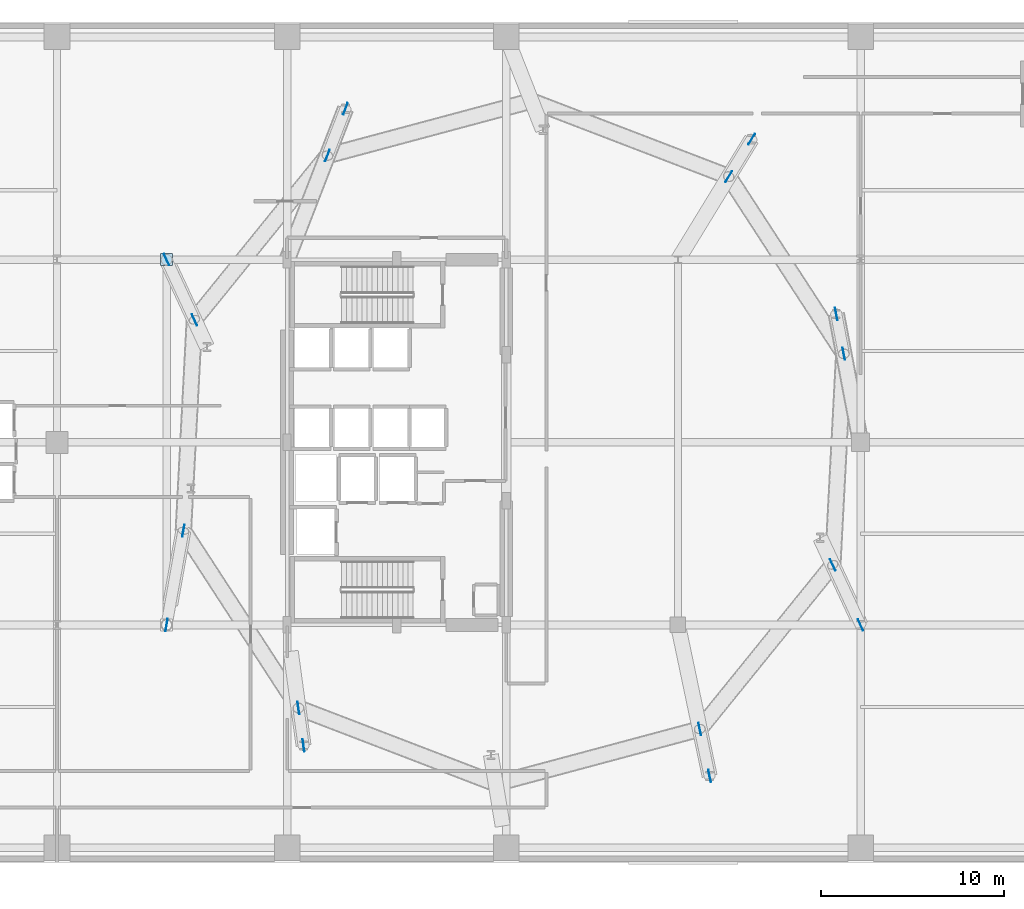
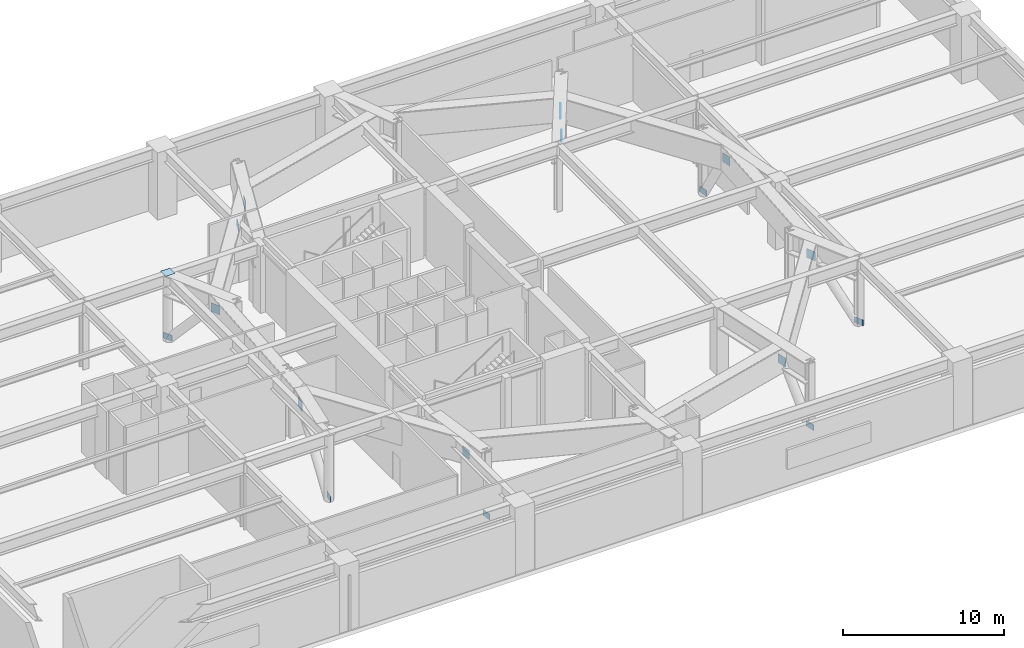
# One storey, part 5 of 12: 17 plates.
"""IFC4 building model written with IfcOpenShell, lengths in metres."""

from ifc_helpers import new_model, si_unit, direction, frame, origin, origin_2d, place, context, subcontext, project, spatial, rectangle, extrude, material, layer, layer_set, type_object, element, save


model = new_model("IFC4")

# Units and contexts
model_context = context("Model", 3, precision=1e-05, world=origin(), true_north=direction((0.0, 1.0)))
body_context = subcontext(model_context, "Body", "Model", "MODEL_VIEW")
ifc_project = project(units=[si_unit("LENGTHUNIT", "METRE"), si_unit("AREAUNIT", "SQUARE_METRE"), si_unit("VOLUMEUNIT", "CUBIC_METRE"), si_unit("PLANEANGLEUNIT", "RADIAN"), si_unit("MASSUNIT", "GRAM", prefix="KILO")], contexts=[model_context])

# Site, building, storey
site_placement = place(None, origin())
site = spatial("IfcSite", under=ifc_project, at=site_placement, CompositionType="ELEMENT")
building_placement = place(site_placement, origin())
building = spatial("IfcBuilding", under=site, at=building_placement, Name="Soratama Intermodal Tower", CompositionType="ELEMENT")
storey_placement = place(building_placement, frame((0.0, 0.0, 25.199951171875)))
storey = spatial("IfcBuildingStorey", under=building, at=storey_placement, Name="L05", CompositionType="ELEMENT", Elevation=25.199951171875)

# Plates
ifc_material_1 = material(Name="Structural steel ASTM A992 Grade 50", Category="steel")
ifc_layer_1 = layer(ifc_material_1, 0.030029296875)
ifc_layer_set_1 = layer_set([ifc_layer_1], Name="Structural steel ASTM A992 Grade 50")
plate_type_1 = type_object("IfcPlateType", Name="PL-GUSSET-30", PredefinedType="USERDEFINED", material=ifc_layer_set_1)
plate_1_placement = place(storey_placement, frame((63.08203125, 29.84521484375, 3.4501953125), z_axis=(0.0, 0.0, 1.0), x_axis=(0.186181084768, -0.982515447041, 0.0)))
element("IfcPlate", 1, at=plate_1_placement, inside=storey, type_object=plate_type_1, Name="L05 Head Gusset Plate 01", ObjectType="GUSSET PLATE", PredefinedType="USERDEFINED", context=body_context, shape_type="SweptSolid", body=[
    extrude(rectangle(XDim=0.679931640625, YDim=0.030029296875, at=origin_2d()), origin(), (0.0, 0.0, 1.0), 0.679931640625),
])
plate_2_placement = place(storey_placement, frame((62.6689453125, 32.02490234375, 0.0), z_axis=(0.0, 0.0, 1.0), x_axis=(0.186181084768, -0.982515447041, 0.0)))
element("IfcPlate", 2, at=plate_2_placement, inside=storey, type_object=plate_type_1, Name="L05 Foot Gusset Plate 01", ObjectType="GUSSET PLATE", PredefinedType="USERDEFINED", context=body_context, shape_type="SweptSolid", body=[
    extrude(rectangle(XDim=0.679931640625, YDim=0.030029296875, at=origin_2d()), origin(), (0.0, 0.0, 1.0), 0.43994140625),
])
plate_3_placement = place(storey_placement, frame((56.781005859375, 39.548095703125, 3.4501953125), z_axis=(0.0, 0.0, 1.0), x_axis=(-0.521605395695, -0.853186855959, 0.0)))
element("IfcPlate", 3, at=plate_3_placement, inside=storey, type_object=plate_type_1, Name="L05 Head Gusset Plate 02", ObjectType="GUSSET PLATE", PredefinedType="USERDEFINED", context=body_context, shape_type="SweptSolid", body=[
    extrude(rectangle(XDim=0.679931640625, YDim=0.030029296875, at=origin_2d()), origin(), (0.0, 0.0, 1.0), 0.679931640625),
])
plate_4_placement = place(storey_placement, frame((58.031982421875, 41.594970703125, 0.0), z_axis=(0.0, 0.0, 1.0), x_axis=(-0.521605395695, -0.853186855959, 0.0)))
element("IfcPlate", 4, at=plate_4_placement, inside=storey, type_object=plate_type_1, Name="L05 Foot Gusset Plate 02", ObjectType="GUSSET PLATE", PredefinedType="USERDEFINED", context=body_context, shape_type="SweptSolid", body=[
    extrude(rectangle(XDim=0.679931640625, YDim=0.030029296875, at=origin_2d()), origin(), (0.0, 0.0, 1.0), 0.43994140625),
])
plate_5_placement = place(storey_placement, frame((34.804443359375, 40.699951171875, 3.4501953125), z_axis=(0.0, 0.0, 1.0), x_axis=(-0.360648044776, -0.932701982307, 0.0)))
element("IfcPlate", 5, at=plate_5_placement, inside=storey, type_object=plate_type_1, Name="L05 Head Gusset Plate 04", ObjectType="GUSSET PLATE", PredefinedType="USERDEFINED", context=body_context, shape_type="SweptSolid", body=[
    extrude(rectangle(XDim=0.679931640625, YDim=0.030029296875, at=origin_2d()), origin(), (0.0, 0.0, 1.0), 0.679931640625),
])
plate_6_placement = place(storey_placement, frame((35.7958984375, 43.264892578125, 0.0), z_axis=(0.0, 0.0, 1.0), x_axis=(-0.360648044776, -0.932701982307, 0.0)))
element("IfcPlate", 6, at=plate_6_placement, inside=storey, type_object=plate_type_1, Name="L05 Foot Gusset Plate 04", ObjectType="GUSSET PLATE", PredefinedType="USERDEFINED", context=body_context, shape_type="SweptSolid", body=[
    extrude(rectangle(XDim=0.679931640625, YDim=0.030029296875, at=origin_2d()), origin(), (0.0, 0.0, 1.0), 0.43994140625),
])
plate_7_placement = place(storey_placement, frame((27.5234375, 31.70849609375, 3.4501953125), z_axis=(0.0, 0.0, 1.0), x_axis=(0.420085728412, -0.907484424541, 0.0)))
element("IfcPlate", 7, at=plate_7_placement, inside=storey, type_object=plate_type_1, Name="L05 Head Gusset Plate 05", ObjectType="GUSSET PLATE", PredefinedType="USERDEFINED", context=body_context, shape_type="SweptSolid", body=[
    extrude(rectangle(XDim=0.679931640625, YDim=0.030029296875, at=origin_2d()), origin(), (0.0, 0.0, 1.0), 0.679931640625),
])
plate_8_placement = place(storey_placement, frame((26.0, 35.0, 0.0), z_axis=(0.0, 0.0, 1.0), x_axis=(0.420085728412, -0.907484424541, 0.0)))
element("IfcPlate", 8, at=plate_8_placement, inside=storey, type_object=plate_type_1, Name="L05 Foot Gusset Plate 05", ObjectType="GUSSET PLATE", PredefinedType="USERDEFINED", context=body_context, shape_type="SweptSolid", body=[
    extrude(rectangle(XDim=0.679931640625, YDim=0.030029296875, at=origin_2d()), origin(), (0.0, 0.0, 1.0), 0.43994140625),
])
plate_9_placement = place(storey_placement, frame((26.91796875, 20.15478515625, 3.4501953125), z_axis=(0.0, 0.0, 1.0), x_axis=(0.175366726092, 0.984503179974, 0.0)))
element("IfcPlate", 9, at=plate_9_placement, inside=storey, type_object=plate_type_1, Name="L05 Head Gusset Plate 06", ObjectType="GUSSET PLATE", PredefinedType="USERDEFINED", context=body_context, shape_type="SweptSolid", body=[
    extrude(rectangle(XDim=0.679931640625, YDim=0.030029296875, at=origin_2d()), origin(), (0.0, 0.0, 1.0), 0.679931640625),
])
plate_10_placement = place(storey_placement, frame((26.0, 15.0, 0.0), z_axis=(0.0, 0.0, 1.0), x_axis=(0.175366726092, 0.984503179974, 0.0)))
element("IfcPlate", 10, at=plate_10_placement, inside=storey, type_object=plate_type_1, Name="L05 Foot Gusset Plate 06", ObjectType="GUSSET PLATE", PredefinedType="USERDEFINED", context=body_context, shape_type="SweptSolid", body=[
    extrude(rectangle(XDim=0.679931640625, YDim=0.030029296875, at=origin_2d()), origin(), (0.0, 0.0, 1.0), 0.43994140625),
])
plate_11_placement = place(storey_placement, frame((33.218994140625, 10.451904296875, 3.4501953125), z_axis=(0.0, 0.0, 1.0), x_axis=(-0.135023866942, 0.990842346368, 0.0)))
element("IfcPlate", 11, at=plate_11_placement, inside=storey, type_object=plate_type_1, Name="L05 Head Gusset Plate 07", ObjectType="GUSSET PLATE", PredefinedType="USERDEFINED", context=body_context, shape_type="SweptSolid", body=[
    extrude(rectangle(XDim=0.679931640625, YDim=0.030029296875, at=origin_2d()), origin(), (0.0, 0.0, 1.0), 0.679931640625),
])
plate_12_placement = place(storey_placement, frame((33.498046875, 8.405029296875, 0.0), z_axis=(0.0, 0.0, 1.0), x_axis=(-0.135023866942, 0.990842346368, 0.0)))
element("IfcPlate", 12, at=plate_12_placement, inside=storey, type_object=plate_type_1, Name="L05 Foot Gusset Plate 07", ObjectType="GUSSET PLATE", PredefinedType="USERDEFINED", context=body_context, shape_type="SweptSolid", body=[
    extrude(rectangle(XDim=0.679931640625, YDim=0.030029296875, at=origin_2d()), origin(), (0.0, 0.0, 1.0), 0.43994140625),
])
plate_13_placement = place(storey_placement, frame((55.195556640625, 9.300048828125, 3.4501953125), z_axis=(0.0, 0.0, 1.0), x_axis=(-0.205350196811, 0.978688559589, 0.0)))
element("IfcPlate", 13, at=plate_13_placement, inside=storey, type_object=plate_type_1, Name="L05 Head Gusset Plate 09", ObjectType="GUSSET PLATE", PredefinedType="USERDEFINED", context=body_context, shape_type="SweptSolid", body=[
    extrude(rectangle(XDim=0.679931640625, YDim=0.030029296875, at=origin_2d()), origin(), (0.0, 0.0, 1.0), 0.679931640625),
])
plate_14_placement = place(storey_placement, frame((55.73388671875, 6.735107421875, 0.0), z_axis=(0.0, 0.0, 1.0), x_axis=(-0.205350196811, 0.978688559589, 0.0)))
element("IfcPlate", 14, at=plate_14_placement, inside=storey, type_object=plate_type_1, Name="L05 Foot Gusset Plate 09", ObjectType="GUSSET PLATE", PredefinedType="USERDEFINED", context=body_context, shape_type="SweptSolid", body=[
    extrude(rectangle(XDim=0.679931640625, YDim=0.030029296875, at=origin_2d()), origin(), (0.0, 0.0, 1.0), 0.43994140625),
])
plate_15_placement = place(storey_placement, frame((62.4765625, 18.29150390625, 3.4501953125), z_axis=(0.0, 0.0, 1.0), x_axis=(-0.420085728412, 0.907484424541, 0.0)))
element("IfcPlate", 15, at=plate_15_placement, inside=storey, type_object=plate_type_1, Name="L05 Head Gusset Plate 10", ObjectType="GUSSET PLATE", PredefinedType="USERDEFINED", context=body_context, shape_type="SweptSolid", body=[
    extrude(rectangle(XDim=0.679931640625, YDim=0.030029296875, at=origin_2d()), origin(), (0.0, 0.0, 1.0), 0.679931640625),
])
plate_16_placement = place(storey_placement, frame((64.0, 15.0, 0.0), z_axis=(0.0, 0.0, 1.0), x_axis=(-0.420085728412, 0.907484424541, 0.0)))
element("IfcPlate", 16, at=plate_16_placement, inside=storey, type_object=plate_type_1, Name="L05 Foot Gusset Plate 10", ObjectType="GUSSET PLATE", PredefinedType="USERDEFINED", context=body_context, shape_type="SweptSolid", body=[
    extrude(rectangle(XDim=0.679931640625, YDim=0.030029296875, at=origin_2d()), origin(), (0.0, 0.0, 1.0), 0.43994140625),
])
ifc_material_2 = material(Name="Steel ASTM A572 Gr 50", Category="steel")
ifc_layer_2 = layer(ifc_material_2, 0.030029296875)
ifc_layer_set_2 = layer_set([ifc_layer_2], Name="Steel ASTM A572 Gr 50")
plate_type_2 = type_object("IfcPlateType", Name="PT-CAP-CHS660", PredefinedType="USERDEFINED", material=ifc_layer_set_2)
plate_17_placement = place(storey_placement, frame((26.0, 35.0, 5.06982421875), z_axis=(0.0, 0.0, 1.0), x_axis=(1.0, 0.0, 0.0)))
element("IfcPlate", 17, at=plate_17_placement, inside=storey, type_object=plate_type_2, Name="L05 Hollow Column Cap Plate P28", ObjectType="END PLATE", PredefinedType="USERDEFINED", context=body_context, shape_type="SweptSolid", body=[
    extrude(rectangle(XDim=0.659912109375, YDim=0.659912109375, at=origin_2d()), origin(), (0.0, 0.0, 1.0), 0.030029296875),
])

save(model, "model.ifc")
